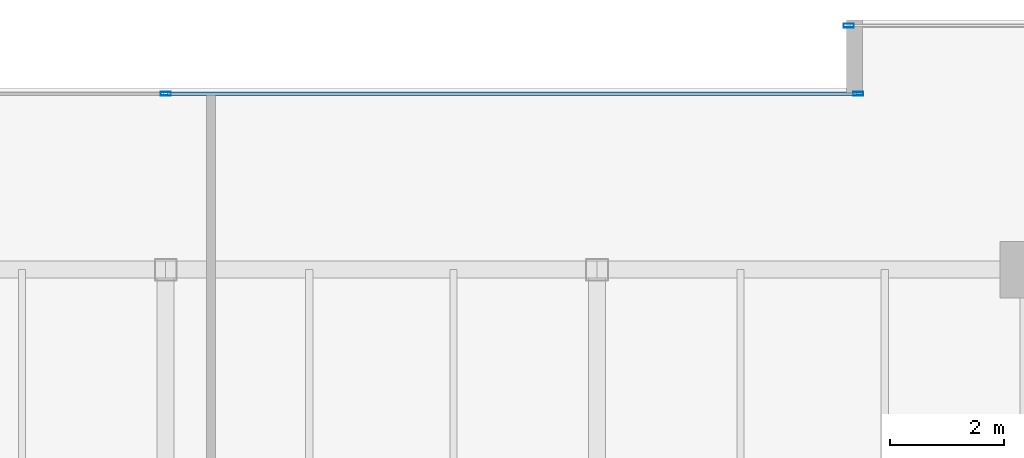
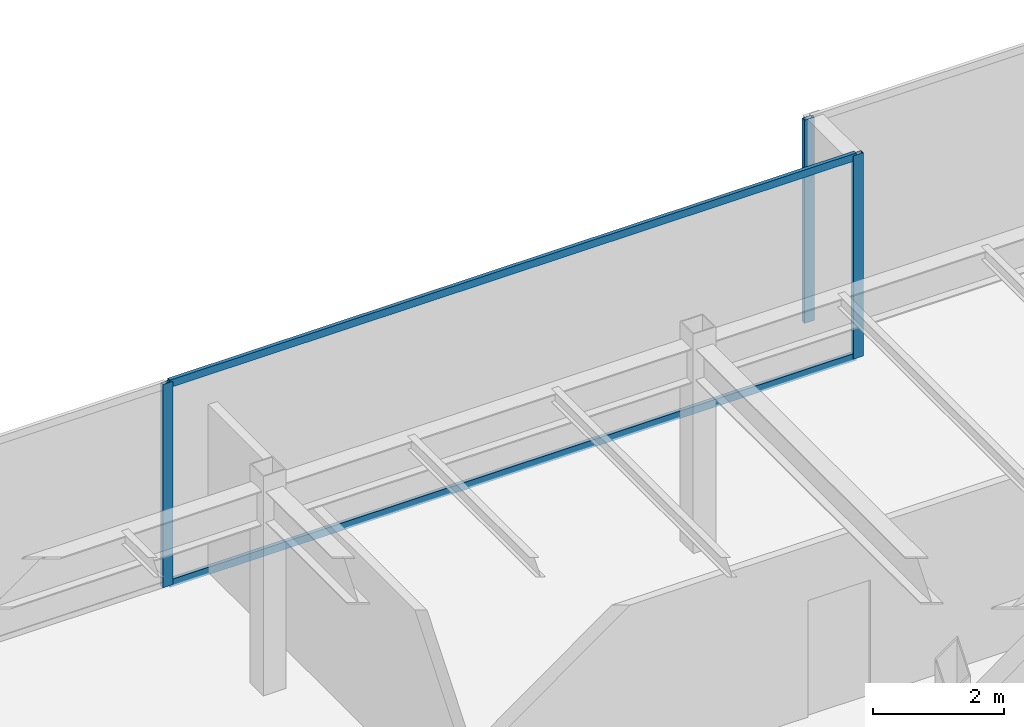
# One storey, part 19 of 33: 5 members, 2 elements without a shape of their own.
"""IFC4 building model written with IfcOpenShell, lengths in metres."""

import ifcopenshell
import ifcopenshell.guid

model = None  # the IFC model being written
_history = None  # IfcOwnerHistory: only IFC2X3 demands one
_inside = {}  # id of a spatial element -> (the spatial element, [elements in it])
_under = {}  # id of a project, library or spatial element -> (it, [spatial elements below it])
_declared = {}  # id of a project -> (the project, [libraries it declares])
_typed = {}  # id of a type object -> (the type object, [elements of that type])
_made_of = {}  # id of a material, layer set ... -> (it, [elements and type objects made of it])


def new_model(schema):
    """Start an empty IFC model of exactly this schema.

    Asked for "IFC4X3", IfcOpenShell would pick the latest addendum, in which some entities
    have other attributes; the version numbers below select the first issue.
    IFC2X3 requires an IfcOwnerHistory on every rooted entity: one is made here for all.
    """
    global model, _history
    if schema == "IFC4X3":
        model = ifcopenshell.file(schema_version=(4, 3, 0, 0))
    else:
        model = ifcopenshell.file(schema=schema)
    _inside.clear()
    _under.clear()
    _declared.clear()
    _typed.clear()
    _made_of.clear()
    _history = None
    if model.schema == "IFC2X3":
        org = make("IfcOrganization", Name="unknown")
        user = make(
            "IfcPersonAndOrganization",
            ThePerson=make("IfcPerson", FamilyName="unknown"),
            TheOrganization=org,
        )
        app = make(
            "IfcApplication",
            ApplicationDeveloper=org,
            Version="unknown",
            ApplicationFullName="unknown",
            ApplicationIdentifier="unknown",
        )
        _history = make(
            "IfcOwnerHistory",
            OwningUser=user,
            OwningApplication=app,
            ChangeAction="ADDED",
            CreationDate=0,
        )
    return model


def make(cls, **values):
    """One entity of the class cls with the attributes given. An attribute that is None is left unset."""
    return model.create_entity(
        cls, **{name: value for name, value in values.items() if value is not None}
    )


def rooted(cls, **values):
    """An entity with a GlobalId (a new one), such as an element, a storey or a relation."""
    return make(cls, GlobalId=ifcopenshell.guid.new(), OwnerHistory=_history, **values)


def si_unit(unit_type, name, prefix=None):
    """IfcSIUnit, for example si_unit("LENGTHUNIT", "METRE", prefix="MILLI")."""
    return make("IfcSIUnit", UnitType=unit_type, Prefix=prefix, Name=name)


def assignment(units):
    """IfcUnitAssignment: the units of a project."""
    return None if units is None else make("IfcUnitAssignment", Units=units)


def point(xyz):
    """IfcCartesianPoint."""
    return None if xyz is None else make("IfcCartesianPoint", Coordinates=xyz)


def direction(xyz):
    """IfcDirection."""
    return None if xyz is None else make("IfcDirection", DirectionRatios=xyz)


def frame(location, z_axis=None, x_axis=None):
    """IfcAxis2Placement3D, a coordinate frame: its origin and axes. An axis left out is left unset."""
    return make(
        "IfcAxis2Placement3D",
        Location=point(location),
        Axis=direction(z_axis),
        RefDirection=direction(x_axis),
    )


def frame_2d(location, x_axis=None):
    """IfcAxis2Placement2D, a coordinate frame in the plane: its origin and x axis."""
    return make(
        "IfcAxis2Placement2D", Location=point(location), RefDirection=direction(x_axis)
    )


def origin():
    """The frame at (0, 0, 0) with its axes left unset."""
    return frame((0.0, 0.0, 0.0))


def origin_2d():
    """The frame at (0, 0) in the plane with its x axis left unset."""
    return frame_2d((0.0, 0.0))


def place(relative_to, where):
    """IfcLocalPlacement: puts the frame where relative to a parent placement (None: the world)."""
    return make(
        "IfcLocalPlacement", PlacementRelTo=relative_to, RelativePlacement=where
    )


def context(
    kind, dimensions, precision=None, world=None, true_north=None, identifier=None
):
    """IfcGeometricRepresentationContext, for example the 3D "Model" context."""
    return make(
        "IfcGeometricRepresentationContext",
        ContextIdentifier=identifier,
        ContextType=kind,
        CoordinateSpaceDimension=dimensions,
        Precision=precision,
        WorldCoordinateSystem=world,
        TrueNorth=true_north,
    )


def subcontext(parent, identifier, kind, view, scale=None):
    """IfcGeometricRepresentationSubContext, for example "Body" below "Model"."""
    return make(
        "IfcGeometricRepresentationSubContext",
        ContextIdentifier=identifier,
        ContextType=kind,
        ParentContext=parent,
        TargetScale=scale,
        TargetView=view,
    )


def project(units=None, contexts=None):
    """IfcProject with its units and contexts."""
    return rooted(
        "IfcProject",
        Name="project",
        RepresentationContexts=contexts,
        UnitsInContext=assignment(units),
    )


def spatial(cls, under=None, at=None, **own):
    """A site, building, storey or space (cls), placed at a placement, below another one or the project."""
    s = rooted(cls, ObjectPlacement=at, **own)
    if under is not None:
        _under.setdefault(under.id(), (under, []))[1].append(s)
    return s


def profile(cls, at=None, kind="AREA", **sizes):
    """A parametric profile (cls). Its sizes go by their IFC names, for example OverallWidth=200.0."""
    return make(cls, ProfileType=kind, Position=at, **sizes)


def hollow_rectangle(**sizes):
    """IfcRectangleHollowProfileDef."""
    return profile("IfcRectangleHollowProfileDef", **sizes)


def extrude(swept, where, along, depth):
    """IfcExtrudedAreaSolid: the profile swept, set in the frame where, extruded along a direction by depth."""
    return make(
        "IfcExtrudedAreaSolid",
        SweptArea=swept,
        Position=where,
        ExtrudedDirection=direction(along),
        Depth=depth,
    )


def shape(context_of_items, identifier, shape_type, items):
    """IfcShapeRepresentation: the items that make up one representation, for example the "Body"."""
    return make(
        "IfcShapeRepresentation",
        ContextOfItems=context_of_items,
        RepresentationIdentifier=identifier,
        RepresentationType=shape_type,
        Items=items,
    )


def source(mapping_origin, context_of_items, identifier, shape_type, items):
    """IfcRepresentationMap: a shape defined once, which mapped items show again and again."""
    return make(
        "IfcRepresentationMap",
        MappingOrigin=mapping_origin,
        MappedRepresentation=shape(context_of_items, identifier, shape_type, items),
    )


def transform(
    local_origin,
    x_axis=None,
    y_axis=None,
    z_axis=None,
    scale=None,
    scale2=None,
    scale3=None,
    uniform=True,
):
    """IfcCartesianTransformationOperator3D, or its non-uniform kind. x_axis, y_axis, z_axis: its Axis1, 2, 3."""
    if uniform:
        return make(
            "IfcCartesianTransformationOperator3D",
            Axis1=direction(x_axis),
            Axis2=direction(y_axis),
            LocalOrigin=point(local_origin),
            Scale=scale,
            Axis3=direction(z_axis),
        )
    return make(
        "IfcCartesianTransformationOperator3DnonUniform",
        Axis1=direction(x_axis),
        Axis2=direction(y_axis),
        LocalOrigin=point(local_origin),
        Scale=scale,
        Axis3=direction(z_axis),
        Scale2=scale2,
        Scale3=scale3,
    )


def mapped(mapping_source, mapping_target):
    """IfcMappedItem: shows the shape of a source again, moved by a transform."""
    return make(
        "IfcMappedItem", MappingSource=mapping_source, MappingTarget=mapping_target
    )


def material(Name=None, Category=None):
    """IfcMaterial."""
    return make("IfcMaterial", Name=Name, Category=Category)


def layer(
    of_material, thickness, ventilated=None, Name=None, Category=None, Priority=None
):
    """IfcMaterialLayer: one layer of a wall or slab, of a material (None: an air gap)."""
    return make(
        "IfcMaterialLayer",
        Material=of_material,
        LayerThickness=thickness,
        IsVentilated=ventilated,
        Name=Name,
        Category=Category,
        Priority=Priority,
    )


def layer_set(layers, Name=None):
    """IfcMaterialLayerSet."""
    return make("IfcMaterialLayerSet", MaterialLayers=layers, LayerSetName=Name)


def material_profile(
    of_material, cross_section, Name=None, Category=None, Priority=None
):
    """IfcMaterialProfile: a cross section and its material."""
    return make(
        "IfcMaterialProfile",
        Name=Name,
        Material=of_material,
        Profile=cross_section,
        Priority=Priority,
        Category=Category,
    )


def profile_set(profiles, Name=None, composite=None):
    """IfcMaterialProfileSet."""
    return make(
        "IfcMaterialProfileSet",
        Name=Name,
        MaterialProfiles=profiles,
        CompositeProfile=composite,
    )


def made_of(thing, what):
    """Note that an element or type object is made of a material, layer set ...; save() writes the relation."""
    if what is not None:
        _made_of.setdefault(what.id(), (what, []))[1].append(thing)
    return thing


def type_object(cls, material=None, **own):
    """A type object (cls), such as IfcWallType, which elements share."""
    return made_of(rooted(cls, **own), material)


def type_shapes(of_type, sources):
    """Give a type object the sources (RepresentationMaps) that its elements show as mapped items."""
    of_type.RepresentationMaps = sources


def element(
    cls,
    number,
    at=None,
    inside=None,
    cuts=None,
    type_object=None,
    material=None,
    context=None,
    identifier="Body",
    shape_type=None,
    held_by="IfcProductDefinitionShape",
    body=None,
    shapes=None,
    **own,
):
    """One element of the class cls, such as IfcWall. Its Tag is "e" and its number.

    at: its placement. inside: the storey or other place that contains it. cuts: it is an
    opening in that element (IfcRelVoidsElement). A single representation is given by context,
    identifier, shape_type and body (its items); several are given by shapes. held_by: the class
    of the entity that holds the representations. save() writes the other relations.
    """
    e = rooted(cls, Tag="e%d" % number, ObjectPlacement=at, **own)
    if body is not None:
        shapes = [shape(context, identifier, shape_type, body)]
    if shapes is not None:
        e.Representation = make(held_by, Representations=shapes)
    if inside is not None:
        _inside.setdefault(inside.id(), (inside, []))[1].append(e)
    if cuts is not None:
        rooted(
            "IfcRelVoidsElement", RelatingBuildingElement=cuts, RelatedOpeningElement=e
        )
    if type_object is not None:
        _typed.setdefault(type_object.id(), (type_object, []))[1].append(e)
    return made_of(e, material)


def aggregate(whole, parts):
    """IfcRelAggregates: a whole, such as a stair, and the parts it consists of."""
    return rooted("IfcRelAggregates", RelatingObject=whole, RelatedObjects=parts)


def save(model, path):
    """Write the relations noted so far, then the file.

    IfcRelAggregates (storeys below a building ...), IfcRelContainedInSpatialStructure (elements
    in a storey), IfcRelDefinesByType, IfcRelAssociatesMaterial and IfcRelDeclares: one each for
    every whole, place, type object, material and project.
    """
    for whole, parts in _under.values():
        aggregate(whole, parts)
    for where, things in _inside.values():
        rooted(
            "IfcRelContainedInSpatialStructure",
            RelatedElements=things,
            RelatingStructure=where,
        )
    for kind, things in _typed.values():
        rooted("IfcRelDefinesByType", RelatedObjects=things, RelatingType=kind)
    for what, things in _made_of.values():
        rooted("IfcRelAssociatesMaterial", RelatedObjects=things, RelatingMaterial=what)
    for by, libraries in _declared.values():
        rooted("IfcRelDeclares", RelatingContext=by, RelatedDefinitions=libraries)
    model.write(path)


model = new_model("IFC4")

# Units and contexts
model_context = context("Model", 3, precision=1e-05, world=origin(), true_north=direction((0.0, 1.0)))
body_context = subcontext(model_context, "Body", "Model", "MODEL_VIEW")
ifc_project = project(units=[si_unit("LENGTHUNIT", "METRE"), si_unit("AREAUNIT", "SQUARE_METRE"), si_unit("VOLUMEUNIT", "CUBIC_METRE"), si_unit("PLANEANGLEUNIT", "RADIAN"), si_unit("MASSUNIT", "GRAM", prefix="KILO")], contexts=[model_context])

# Site, building, storey
site_placement = place(None, origin())
site = spatial("IfcSite", under=ifc_project, at=site_placement, CompositionType="ELEMENT")
building_placement = place(site_placement, origin())
building = spatial("IfcBuilding", under=site, at=building_placement, Name="Haelvirn Gate Laboratories", CompositionType="ELEMENT")
storey_placement = place(building_placement, frame((0.0, 0.0, 258.800048828125)))
storey = spatial("IfcBuildingStorey", under=building, at=storey_placement, Name="L62", CompositionType="ELEMENT", Elevation=258.800048828125)

# Curtain wall, members
ifc_material_1 = material(Name="Anodised bronze unitised aluminium & triple low-E glass", Category="aluminium")
ifc_layer = layer(ifc_material_1, 0.176025390625, Name="CW-SYS-4")
ifc_layer_set = layer_set([ifc_layer], Name="Anodised bronze unitised aluminium & triple low-E glass")
curtain_wall_type = type_object("IfcCurtainWallType", Name="CW-SYS-4", PredefinedType="NOTDEFINED", material=ifc_layer_set)
curtain_wall_1_placement = place(storey_placement, origin())
curtain_wall_1 = element("IfcCurtainWall", 1, at=curtain_wall_1_placement, inside=storey, type_object=curtain_wall_type, Name="L62 Unitised Curtain Wall CW-L62-P0-E12-1", PredefinedType="NOTDEFINED")
ifc_material_2 = material(Name="Extruded aluminium 6063-T6 (anodised bronze)", Category="aluminium")
ifc_material_profile_1 = material_profile(ifc_material_2, hollow_rectangle(XDim=0.06494140625, YDim=0.139892578125, WallThickness=0.00390625, at=origin_2d()), Name="CWT-140x65x4")
ifc_profile_set_1 = profile_set([ifc_material_profile_1], Name="Extruded aluminium 6063-T6 (anodised bronze)")
member_type_1 = type_object("IfcMemberType", Name="CWT-T140", PredefinedType="USERDEFINED", material=ifc_profile_set_1)
shared_shape_1 = source(origin(), body_context, "Body", "SweptSolid", [
    extrude(hollow_rectangle(XDim=0.06494140625, YDim=0.139892578125, WallThickness=0.00390625, at=origin_2d()), origin(), (0.0, 0.0, 1.0), 12.135009765625),
])
type_shapes(member_type_1, [shared_shape_1])
member_1_placement = place(storey_placement, frame((37.43505859375, 44.699951171875, 0.032470703125), z_axis=(1.0, 0.0, 0.0), x_axis=(0.0, 1.0, 0.0)))
member_1 = element("IfcMember", 2, at=member_1_placement, type_object=member_type_1, Name="CW4 transom 2.1", ObjectType="TRANSOM", PredefinedType="USERDEFINED", context=body_context, shape_type="MappedRepresentation", body=[
    mapped(shared_shape_1, transform((0.0, 0.0, 0.0), scale=1.0)),
])
member_2_placement = place(storey_placement, frame((37.43505859375, 44.699951171875, 3.767333984375), z_axis=(1.0, 0.0, 0.0), x_axis=(0.0, 1.0, 0.0)))
member_2 = element("IfcMember", 3, at=member_2_placement, type_object=member_type_1, Name="CW4 transom 2.2", ObjectType="TRANSOM", PredefinedType="USERDEFINED", context=body_context, shape_type="MappedRepresentation", body=[
    mapped(shared_shape_1, transform((0.0, 0.0, 0.0), scale=1.0)),
])

# Curtain wall, member
curtain_wall_2_placement = place(storey_placement, origin())
curtain_wall_2 = element("IfcCurtainWall", 4, at=curtain_wall_2_placement, inside=storey, type_object=curtain_wall_type, Name="L62 Unitised Curtain Wall CW-L62-P0-E10-1", PredefinedType="NOTDEFINED")
ifc_material_profile_2 = material_profile(ifc_material_2, hollow_rectangle(XDim=0.070068359375, YDim=0.179931640625, WallThickness=0.0048828125, at=origin_2d()), Name="CWM-180x70x5")
ifc_profile_set_2 = profile_set([ifc_material_profile_2], Name="Extruded aluminium 6063-T6 (anodised bronze)")
member_type_2 = type_object("IfcMemberType", Name="CWM-T180", PredefinedType="MULLION", material=ifc_profile_set_2)
shared_shape_2 = source(origin(), body_context, "Body", "SweptSolid", [
    extrude(hollow_rectangle(XDim=0.070068359375, YDim=0.179931640625, WallThickness=0.0048828125, at=origin_2d()), origin(), (0.0, 0.0, 1.0), 3.800048828125),
])
type_shapes(member_type_2, [shared_shape_2])
member_3_placement = place(storey_placement, frame((49.43505859375, 45.89990234375, 0.0), z_axis=(0.0, 0.0, 1.0), x_axis=(0.0, 1.0, 0.0)))
member_3 = element("IfcMember", 5, at=member_3_placement, type_object=member_type_2, Name="CW4 mullion 1", PredefinedType="MULLION", context=body_context, shape_type="MappedRepresentation", body=[
    mapped(shared_shape_2, transform((0.0, 0.0, 0.0), scale=1.0)),
])
aggregate(curtain_wall_2, [member_3])

# Member
member_4_placement = place(storey_placement, frame((37.39990234375, 44.699951171875, 0.0), z_axis=(0.0, 0.0, 1.0), x_axis=(0.0, 1.0, 0.0)))
member_4 = element("IfcMember", 6, at=member_4_placement, type_object=member_type_2, Name="CW4 mullion 2", PredefinedType="MULLION", context=body_context, shape_type="MappedRepresentation", body=[
    mapped(shared_shape_2, transform((0.0, 0.0, 0.0), scale=1.0)),
])

member_5_placement = place(storey_placement, frame((49.60498046875, 44.699951171875, 0.0), z_axis=(0.0, 0.0, 1.0), x_axis=(0.0, 1.0, 0.0)))
member_5 = element("IfcMember", 7, at=member_5_placement, type_object=member_type_2, Name="CW4 mullion 3", PredefinedType="MULLION", context=body_context, shape_type="MappedRepresentation", body=[
    mapped(shared_shape_2, transform((0.0, 0.0, 0.0), scale=1.0)),
])

aggregate(curtain_wall_1, [member_4, member_5, member_1, member_2])

save(model, "model.ifc")
